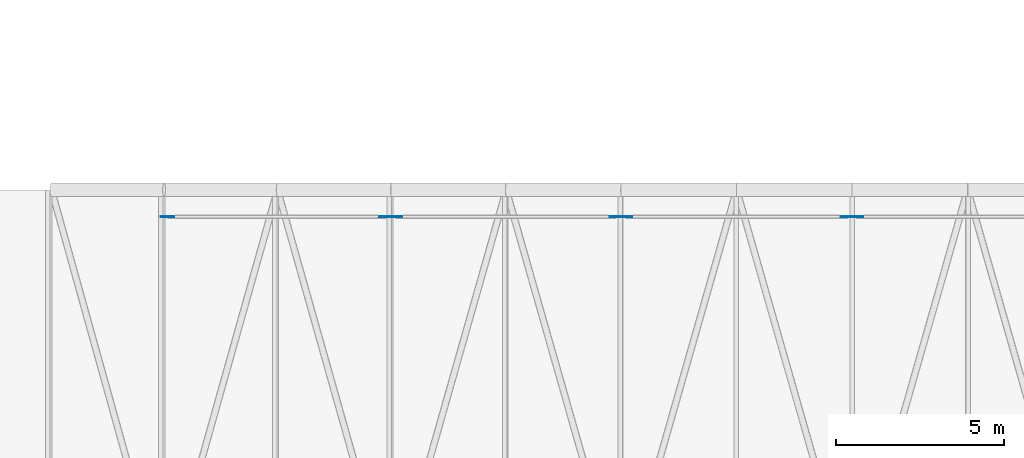
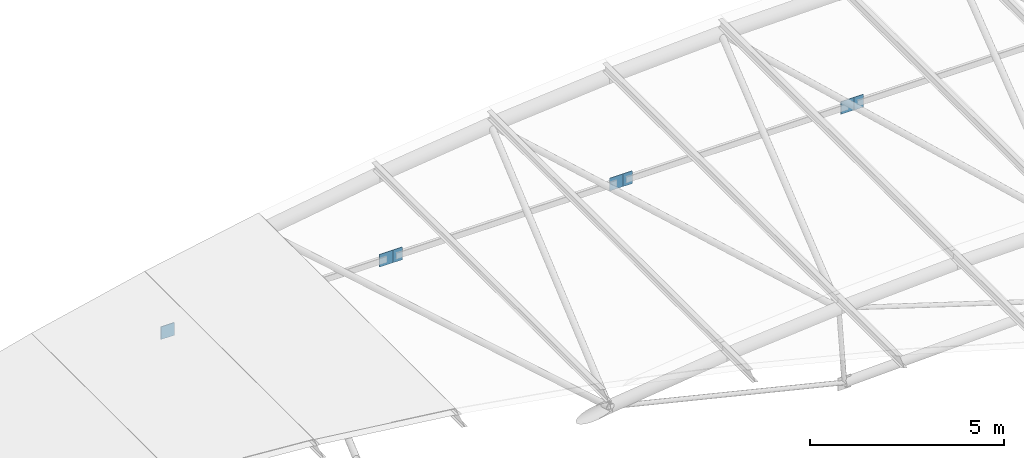
# One storey, part 81 of 91: 7 discrete accessories.
"""IFC4 building model written with IfcOpenShell, lengths in metres."""

import ifcopenshell
import ifcopenshell.guid

model = None  # the IFC model being written
_history = None  # IfcOwnerHistory: only IFC2X3 demands one
_inside = {}  # id of a spatial element -> (the spatial element, [elements in it])
_under = {}  # id of a project, library or spatial element -> (it, [spatial elements below it])
_declared = {}  # id of a project -> (the project, [libraries it declares])
_typed = {}  # id of a type object -> (the type object, [elements of that type])
_made_of = {}  # id of a material, layer set ... -> (it, [elements and type objects made of it])


def new_model(schema):
    """Start an empty IFC model of exactly this schema.

    Asked for "IFC4X3", IfcOpenShell would pick the latest addendum, in which some entities
    have other attributes; the version numbers below select the first issue.
    IFC2X3 requires an IfcOwnerHistory on every rooted entity: one is made here for all.
    """
    global model, _history
    if schema == "IFC4X3":
        model = ifcopenshell.file(schema_version=(4, 3, 0, 0))
    else:
        model = ifcopenshell.file(schema=schema)
    _inside.clear()
    _under.clear()
    _declared.clear()
    _typed.clear()
    _made_of.clear()
    _history = None
    if model.schema == "IFC2X3":
        org = make("IfcOrganization", Name="unknown")
        user = make(
            "IfcPersonAndOrganization",
            ThePerson=make("IfcPerson", FamilyName="unknown"),
            TheOrganization=org,
        )
        app = make(
            "IfcApplication",
            ApplicationDeveloper=org,
            Version="unknown",
            ApplicationFullName="unknown",
            ApplicationIdentifier="unknown",
        )
        _history = make(
            "IfcOwnerHistory",
            OwningUser=user,
            OwningApplication=app,
            ChangeAction="ADDED",
            CreationDate=0,
        )
    return model


def make(cls, **values):
    """One entity of the class cls with the attributes given. An attribute that is None is left unset."""
    return model.create_entity(
        cls, **{name: value for name, value in values.items() if value is not None}
    )


def rooted(cls, **values):
    """An entity with a GlobalId (a new one), such as an element, a storey or a relation."""
    return make(cls, GlobalId=ifcopenshell.guid.new(), OwnerHistory=_history, **values)


def si_unit(unit_type, name, prefix=None):
    """IfcSIUnit, for example si_unit("LENGTHUNIT", "METRE", prefix="MILLI")."""
    return make("IfcSIUnit", UnitType=unit_type, Prefix=prefix, Name=name)


def assignment(units):
    """IfcUnitAssignment: the units of a project."""
    return None if units is None else make("IfcUnitAssignment", Units=units)


def point(xyz):
    """IfcCartesianPoint."""
    return None if xyz is None else make("IfcCartesianPoint", Coordinates=xyz)


def direction(xyz):
    """IfcDirection."""
    return None if xyz is None else make("IfcDirection", DirectionRatios=xyz)


def frame(location, z_axis=None, x_axis=None):
    """IfcAxis2Placement3D, a coordinate frame: its origin and axes. An axis left out is left unset."""
    return make(
        "IfcAxis2Placement3D",
        Location=point(location),
        Axis=direction(z_axis),
        RefDirection=direction(x_axis),
    )


def frame_2d(location, x_axis=None):
    """IfcAxis2Placement2D, a coordinate frame in the plane: its origin and x axis."""
    return make(
        "IfcAxis2Placement2D", Location=point(location), RefDirection=direction(x_axis)
    )


def origin():
    """The frame at (0, 0, 0) with its axes left unset."""
    return frame((0.0, 0.0, 0.0))


def origin_2d():
    """The frame at (0, 0) in the plane with its x axis left unset."""
    return frame_2d((0.0, 0.0))


def place(relative_to, where):
    """IfcLocalPlacement: puts the frame where relative to a parent placement (None: the world)."""
    return make(
        "IfcLocalPlacement", PlacementRelTo=relative_to, RelativePlacement=where
    )


def context(
    kind, dimensions, precision=None, world=None, true_north=None, identifier=None
):
    """IfcGeometricRepresentationContext, for example the 3D "Model" context."""
    return make(
        "IfcGeometricRepresentationContext",
        ContextIdentifier=identifier,
        ContextType=kind,
        CoordinateSpaceDimension=dimensions,
        Precision=precision,
        WorldCoordinateSystem=world,
        TrueNorth=true_north,
    )


def subcontext(parent, identifier, kind, view, scale=None):
    """IfcGeometricRepresentationSubContext, for example "Body" below "Model"."""
    return make(
        "IfcGeometricRepresentationSubContext",
        ContextIdentifier=identifier,
        ContextType=kind,
        ParentContext=parent,
        TargetScale=scale,
        TargetView=view,
    )


def project(units=None, contexts=None):
    """IfcProject with its units and contexts."""
    return rooted(
        "IfcProject",
        Name="project",
        RepresentationContexts=contexts,
        UnitsInContext=assignment(units),
    )


def spatial(cls, under=None, at=None, **own):
    """A site, building, storey or space (cls), placed at a placement, below another one or the project."""
    s = rooted(cls, ObjectPlacement=at, **own)
    if under is not None:
        _under.setdefault(under.id(), (under, []))[1].append(s)
    return s


def profile(cls, at=None, kind="AREA", **sizes):
    """A parametric profile (cls). Its sizes go by their IFC names, for example OverallWidth=200.0."""
    return make(cls, ProfileType=kind, Position=at, **sizes)


def rectangle(**sizes):
    """IfcRectangleProfileDef."""
    return profile("IfcRectangleProfileDef", **sizes)


def extrude(swept, where, along, depth):
    """IfcExtrudedAreaSolid: the profile swept, set in the frame where, extruded along a direction by depth."""
    return make(
        "IfcExtrudedAreaSolid",
        SweptArea=swept,
        Position=where,
        ExtrudedDirection=direction(along),
        Depth=depth,
    )


def shape(context_of_items, identifier, shape_type, items):
    """IfcShapeRepresentation: the items that make up one representation, for example the "Body"."""
    return make(
        "IfcShapeRepresentation",
        ContextOfItems=context_of_items,
        RepresentationIdentifier=identifier,
        RepresentationType=shape_type,
        Items=items,
    )


def material(Name=None, Category=None):
    """IfcMaterial."""
    return make("IfcMaterial", Name=Name, Category=Category)


def material_profile(
    of_material, cross_section, Name=None, Category=None, Priority=None
):
    """IfcMaterialProfile: a cross section and its material."""
    return make(
        "IfcMaterialProfile",
        Name=Name,
        Material=of_material,
        Profile=cross_section,
        Priority=Priority,
        Category=Category,
    )


def profile_set(profiles, Name=None, composite=None):
    """IfcMaterialProfileSet."""
    return make(
        "IfcMaterialProfileSet",
        Name=Name,
        MaterialProfiles=profiles,
        CompositeProfile=composite,
    )


def made_of(thing, what):
    """Note that an element or type object is made of a material, layer set ...; save() writes the relation."""
    if what is not None:
        _made_of.setdefault(what.id(), (what, []))[1].append(thing)
    return thing


def type_object(cls, material=None, **own):
    """A type object (cls), such as IfcWallType, which elements share."""
    return made_of(rooted(cls, **own), material)


def element(
    cls,
    number,
    at=None,
    inside=None,
    cuts=None,
    type_object=None,
    material=None,
    context=None,
    identifier="Body",
    shape_type=None,
    held_by="IfcProductDefinitionShape",
    body=None,
    shapes=None,
    **own,
):
    """One element of the class cls, such as IfcWall. Its Tag is "e" and its number.

    at: its placement. inside: the storey or other place that contains it. cuts: it is an
    opening in that element (IfcRelVoidsElement). A single representation is given by context,
    identifier, shape_type and body (its items); several are given by shapes. held_by: the class
    of the entity that holds the representations. save() writes the other relations.
    """
    e = rooted(cls, Tag="e%d" % number, ObjectPlacement=at, **own)
    if body is not None:
        shapes = [shape(context, identifier, shape_type, body)]
    if shapes is not None:
        e.Representation = make(held_by, Representations=shapes)
    if inside is not None:
        _inside.setdefault(inside.id(), (inside, []))[1].append(e)
    if cuts is not None:
        rooted(
            "IfcRelVoidsElement", RelatingBuildingElement=cuts, RelatedOpeningElement=e
        )
    if type_object is not None:
        _typed.setdefault(type_object.id(), (type_object, []))[1].append(e)
    return made_of(e, material)


def aggregate(whole, parts):
    """IfcRelAggregates: a whole, such as a stair, and the parts it consists of."""
    return rooted("IfcRelAggregates", RelatingObject=whole, RelatedObjects=parts)


def save(model, path):
    """Write the relations noted so far, then the file.

    IfcRelAggregates (storeys below a building ...), IfcRelContainedInSpatialStructure (elements
    in a storey), IfcRelDefinesByType, IfcRelAssociatesMaterial and IfcRelDeclares: one each for
    every whole, place, type object, material and project.
    """
    for whole, parts in _under.values():
        aggregate(whole, parts)
    for where, things in _inside.values():
        rooted(
            "IfcRelContainedInSpatialStructure",
            RelatedElements=things,
            RelatingStructure=where,
        )
    for kind, things in _typed.values():
        rooted("IfcRelDefinesByType", RelatedObjects=things, RelatingType=kind)
    for what, things in _made_of.values():
        rooted("IfcRelAssociatesMaterial", RelatedObjects=things, RelatingMaterial=what)
    for by, libraries in _declared.values():
        rooted("IfcRelDeclares", RelatingContext=by, RelatedDefinitions=libraries)
    model.write(path)


model = new_model("IFC4")

# Units and contexts
model_context = context("Model", 3, precision=1e-05, world=origin(), true_north=direction((0.0, 1.0)))
body_context = subcontext(model_context, "Body", "Model", "MODEL_VIEW")
ifc_project = project(units=[si_unit("LENGTHUNIT", "METRE"), si_unit("AREAUNIT", "SQUARE_METRE"), si_unit("VOLUMEUNIT", "CUBIC_METRE"), si_unit("PLANEANGLEUNIT", "RADIAN"), si_unit("MASSUNIT", "GRAM", prefix="KILO")], contexts=[model_context])

# Site, building, storey
site_placement = place(None, origin())
site = spatial("IfcSite", under=ifc_project, at=site_placement, CompositionType="ELEMENT")
building_placement = place(site_placement, origin())
building = spatial("IfcBuilding", under=site, at=building_placement, Name="Ravi Spectrum Wholesale Market", CompositionType="ELEMENT")
storey_placement = place(building_placement, frame((0.0, 0.0, 16.199951171875)))
storey = spatial("IfcBuildingStorey", under=building, at=storey_placement, Name="ROOF PLANT LEVEL", CompositionType="ELEMENT", Elevation=16.199951171875)

# Discrete accessories
ifc_material = material(Name="Steel S355", Category="steel")
ifc_material_profile = material_profile(ifc_material, rectangle(XDim=0.39990234375, YDim=0.02001953125, at=origin_2d()))
ifc_profile_set = profile_set([ifc_material_profile], Name="Steel S355")
discrete_accessory_type = type_object("IfcDiscreteAccessoryType", Name="Gusset plate 400x400x20", PredefinedType="BRACKET", material=ifc_profile_set)
for number, where, z_axis, x_axis, name in (
    (1, (49.658447265625, 197.199951171875, -0.199951171875), (0.0, 0.0, 1.0), (1.0, 0.0, 0.0), "Gusset plate"),
    (2, (56.1572265625, 197.199951171875, -0.199951171875), (0.0, 0.0, 1.0), (1.0, 0.0, 0.0), "Gusset plate"),
    (3, (56.43017578125, 197.199951171875, -0.199951171875), (0.0, 0.0, 1.0), (1.0, 0.0, 0.0), "Gusset plate"),
    (4, (62.993896484375, 197.199951171875, -0.199951171875), (0.0, 0.0, 1.0), (1.0, 0.0, 0.0), "Gusset plate"),
    (5, (63.266845703125, 197.199951171875, -0.199951171875), (0.0, 0.0, 1.0), (1.0, 0.0, 0.0), "Gusset plate"),
    (6, (69.863525390625, 197.199951171875, -0.199951171875), (0.0, 0.0, 1.0), (1.0, 0.0, 0.0), "Gusset plate"),
    (7, (70.136474609375, 197.199951171875, -0.199951171875), (0.0, 0.0, 1.0), (1.0, 0.0, 0.0), "Gusset plate"),
):
    element("IfcDiscreteAccessory", number, at=place(storey_placement, frame(where, z_axis=z_axis, x_axis=x_axis)), inside=storey, type_object=discrete_accessory_type, Name=name, PredefinedType="BRACKET", context=body_context, shape_type="SweptSolid", body=[
        extrude(rectangle(XDim=0.39990234375, YDim=0.02001953125, at=origin_2d()), origin(), (0.0, 0.0, 1.0), 0.39990234375),
    ])

save(model, "model.ifc")
